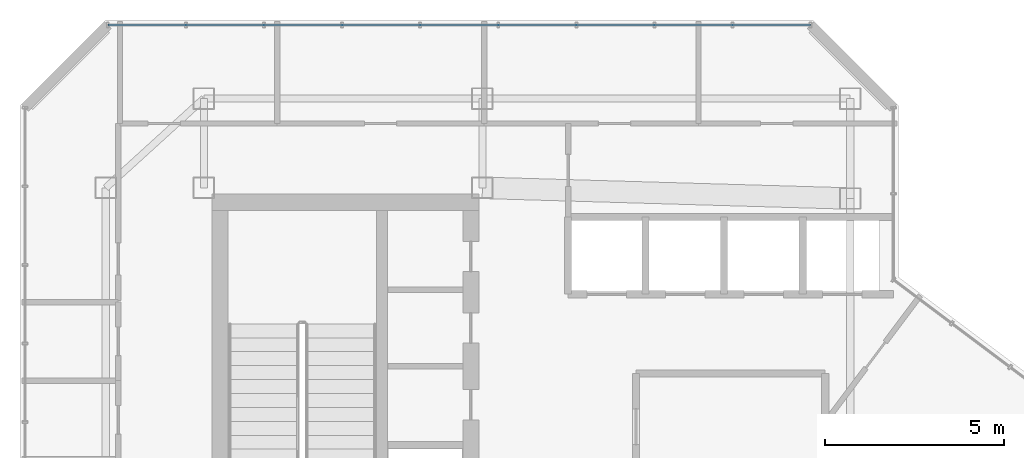
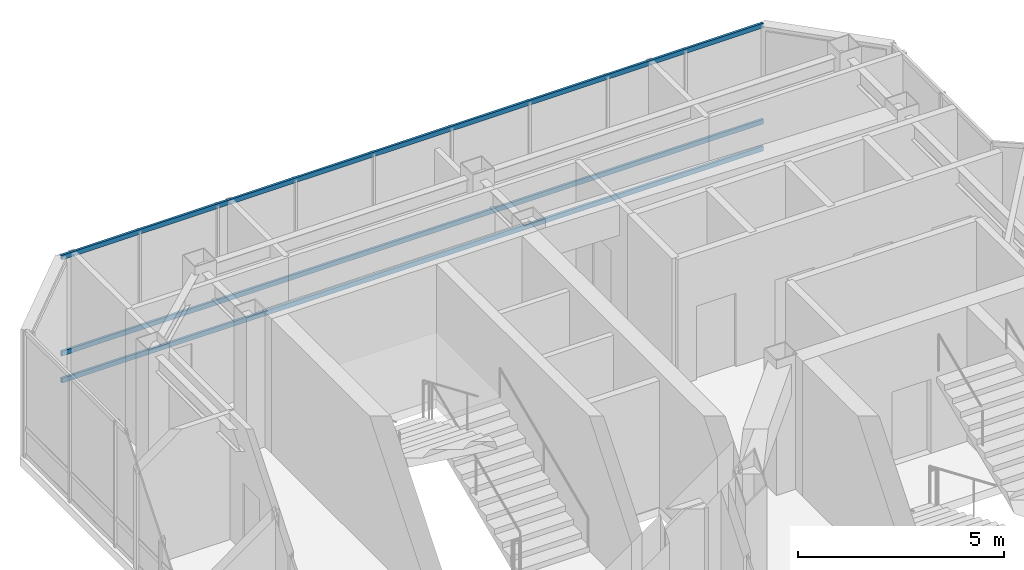
# One storey, part 22 of 30: 3 members, 1 element without a shape of its own.
"""IFC4 building model written with IfcOpenShell, lengths in metres."""

import ifcopenshell
import ifcopenshell.guid

model = None  # the IFC model being written
_history = None  # IfcOwnerHistory: only IFC2X3 demands one
_inside = {}  # id of a spatial element -> (the spatial element, [elements in it])
_under = {}  # id of a project, library or spatial element -> (it, [spatial elements below it])
_declared = {}  # id of a project -> (the project, [libraries it declares])
_typed = {}  # id of a type object -> (the type object, [elements of that type])
_made_of = {}  # id of a material, layer set ... -> (it, [elements and type objects made of it])


def new_model(schema):
    """Start an empty IFC model of exactly this schema.

    Asked for "IFC4X3", IfcOpenShell would pick the latest addendum, in which some entities
    have other attributes; the version numbers below select the first issue.
    IFC2X3 requires an IfcOwnerHistory on every rooted entity: one is made here for all.
    """
    global model, _history
    if schema == "IFC4X3":
        model = ifcopenshell.file(schema_version=(4, 3, 0, 0))
    else:
        model = ifcopenshell.file(schema=schema)
    _inside.clear()
    _under.clear()
    _declared.clear()
    _typed.clear()
    _made_of.clear()
    _history = None
    if model.schema == "IFC2X3":
        org = make("IfcOrganization", Name="unknown")
        user = make(
            "IfcPersonAndOrganization",
            ThePerson=make("IfcPerson", FamilyName="unknown"),
            TheOrganization=org,
        )
        app = make(
            "IfcApplication",
            ApplicationDeveloper=org,
            Version="unknown",
            ApplicationFullName="unknown",
            ApplicationIdentifier="unknown",
        )
        _history = make(
            "IfcOwnerHistory",
            OwningUser=user,
            OwningApplication=app,
            ChangeAction="ADDED",
            CreationDate=0,
        )
    return model


def make(cls, **values):
    """One entity of the class cls with the attributes given. An attribute that is None is left unset."""
    return model.create_entity(
        cls, **{name: value for name, value in values.items() if value is not None}
    )


def rooted(cls, **values):
    """An entity with a GlobalId (a new one), such as an element, a storey or a relation."""
    return make(cls, GlobalId=ifcopenshell.guid.new(), OwnerHistory=_history, **values)


def si_unit(unit_type, name, prefix=None):
    """IfcSIUnit, for example si_unit("LENGTHUNIT", "METRE", prefix="MILLI")."""
    return make("IfcSIUnit", UnitType=unit_type, Prefix=prefix, Name=name)


def assignment(units):
    """IfcUnitAssignment: the units of a project."""
    return None if units is None else make("IfcUnitAssignment", Units=units)


def point(xyz):
    """IfcCartesianPoint."""
    return None if xyz is None else make("IfcCartesianPoint", Coordinates=xyz)


def direction(xyz):
    """IfcDirection."""
    return None if xyz is None else make("IfcDirection", DirectionRatios=xyz)


def frame(location, z_axis=None, x_axis=None):
    """IfcAxis2Placement3D, a coordinate frame: its origin and axes. An axis left out is left unset."""
    return make(
        "IfcAxis2Placement3D",
        Location=point(location),
        Axis=direction(z_axis),
        RefDirection=direction(x_axis),
    )


def frame_2d(location, x_axis=None):
    """IfcAxis2Placement2D, a coordinate frame in the plane: its origin and x axis."""
    return make(
        "IfcAxis2Placement2D", Location=point(location), RefDirection=direction(x_axis)
    )


def origin():
    """The frame at (0, 0, 0) with its axes left unset."""
    return frame((0.0, 0.0, 0.0))


def origin_2d():
    """The frame at (0, 0) in the plane with its x axis left unset."""
    return frame_2d((0.0, 0.0))


def place(relative_to, where):
    """IfcLocalPlacement: puts the frame where relative to a parent placement (None: the world)."""
    return make(
        "IfcLocalPlacement", PlacementRelTo=relative_to, RelativePlacement=where
    )


def context(
    kind, dimensions, precision=None, world=None, true_north=None, identifier=None
):
    """IfcGeometricRepresentationContext, for example the 3D "Model" context."""
    return make(
        "IfcGeometricRepresentationContext",
        ContextIdentifier=identifier,
        ContextType=kind,
        CoordinateSpaceDimension=dimensions,
        Precision=precision,
        WorldCoordinateSystem=world,
        TrueNorth=true_north,
    )


def subcontext(parent, identifier, kind, view, scale=None):
    """IfcGeometricRepresentationSubContext, for example "Body" below "Model"."""
    return make(
        "IfcGeometricRepresentationSubContext",
        ContextIdentifier=identifier,
        ContextType=kind,
        ParentContext=parent,
        TargetScale=scale,
        TargetView=view,
    )


def project(units=None, contexts=None):
    """IfcProject with its units and contexts."""
    return rooted(
        "IfcProject",
        Name="project",
        RepresentationContexts=contexts,
        UnitsInContext=assignment(units),
    )


def spatial(cls, under=None, at=None, **own):
    """A site, building, storey or space (cls), placed at a placement, below another one or the project."""
    s = rooted(cls, ObjectPlacement=at, **own)
    if under is not None:
        _under.setdefault(under.id(), (under, []))[1].append(s)
    return s


def profile(cls, at=None, kind="AREA", **sizes):
    """A parametric profile (cls). Its sizes go by their IFC names, for example OverallWidth=200.0."""
    return make(cls, ProfileType=kind, Position=at, **sizes)


def hollow_rectangle(**sizes):
    """IfcRectangleHollowProfileDef."""
    return profile("IfcRectangleHollowProfileDef", **sizes)


def extrude(swept, where, along, depth):
    """IfcExtrudedAreaSolid: the profile swept, set in the frame where, extruded along a direction by depth."""
    return make(
        "IfcExtrudedAreaSolid",
        SweptArea=swept,
        Position=where,
        ExtrudedDirection=direction(along),
        Depth=depth,
    )


def shape(context_of_items, identifier, shape_type, items):
    """IfcShapeRepresentation: the items that make up one representation, for example the "Body"."""
    return make(
        "IfcShapeRepresentation",
        ContextOfItems=context_of_items,
        RepresentationIdentifier=identifier,
        RepresentationType=shape_type,
        Items=items,
    )


def material(Name=None, Category=None):
    """IfcMaterial."""
    return make("IfcMaterial", Name=Name, Category=Category)


def layer(
    of_material, thickness, ventilated=None, Name=None, Category=None, Priority=None
):
    """IfcMaterialLayer: one layer of a wall or slab, of a material (None: an air gap)."""
    return make(
        "IfcMaterialLayer",
        Material=of_material,
        LayerThickness=thickness,
        IsVentilated=ventilated,
        Name=Name,
        Category=Category,
        Priority=Priority,
    )


def layer_set(layers, Name=None):
    """IfcMaterialLayerSet."""
    return make("IfcMaterialLayerSet", MaterialLayers=layers, LayerSetName=Name)


def material_profile(
    of_material, cross_section, Name=None, Category=None, Priority=None
):
    """IfcMaterialProfile: a cross section and its material."""
    return make(
        "IfcMaterialProfile",
        Name=Name,
        Material=of_material,
        Profile=cross_section,
        Priority=Priority,
        Category=Category,
    )


def profile_set(profiles, Name=None, composite=None):
    """IfcMaterialProfileSet."""
    return make(
        "IfcMaterialProfileSet",
        Name=Name,
        MaterialProfiles=profiles,
        CompositeProfile=composite,
    )


def made_of(thing, what):
    """Note that an element or type object is made of a material, layer set ...; save() writes the relation."""
    if what is not None:
        _made_of.setdefault(what.id(), (what, []))[1].append(thing)
    return thing


def type_object(cls, material=None, **own):
    """A type object (cls), such as IfcWallType, which elements share."""
    return made_of(rooted(cls, **own), material)


def element(
    cls,
    number,
    at=None,
    inside=None,
    cuts=None,
    type_object=None,
    material=None,
    context=None,
    identifier="Body",
    shape_type=None,
    held_by="IfcProductDefinitionShape",
    body=None,
    shapes=None,
    **own,
):
    """One element of the class cls, such as IfcWall. Its Tag is "e" and its number.

    at: its placement. inside: the storey or other place that contains it. cuts: it is an
    opening in that element (IfcRelVoidsElement). A single representation is given by context,
    identifier, shape_type and body (its items); several are given by shapes. held_by: the class
    of the entity that holds the representations. save() writes the other relations.
    """
    e = rooted(cls, Tag="e%d" % number, ObjectPlacement=at, **own)
    if body is not None:
        shapes = [shape(context, identifier, shape_type, body)]
    if shapes is not None:
        e.Representation = make(held_by, Representations=shapes)
    if inside is not None:
        _inside.setdefault(inside.id(), (inside, []))[1].append(e)
    if cuts is not None:
        rooted(
            "IfcRelVoidsElement", RelatingBuildingElement=cuts, RelatedOpeningElement=e
        )
    if type_object is not None:
        _typed.setdefault(type_object.id(), (type_object, []))[1].append(e)
    return made_of(e, material)


def aggregate(whole, parts):
    """IfcRelAggregates: a whole, such as a stair, and the parts it consists of."""
    return rooted("IfcRelAggregates", RelatingObject=whole, RelatedObjects=parts)


def save(model, path):
    """Write the relations noted so far, then the file.

    IfcRelAggregates (storeys below a building ...), IfcRelContainedInSpatialStructure (elements
    in a storey), IfcRelDefinesByType, IfcRelAssociatesMaterial and IfcRelDeclares: one each for
    every whole, place, type object, material and project.
    """
    for whole, parts in _under.values():
        aggregate(whole, parts)
    for where, things in _inside.values():
        rooted(
            "IfcRelContainedInSpatialStructure",
            RelatedElements=things,
            RelatingStructure=where,
        )
    for kind, things in _typed.values():
        rooted("IfcRelDefinesByType", RelatedObjects=things, RelatingType=kind)
    for what, things in _made_of.values():
        rooted("IfcRelAssociatesMaterial", RelatedObjects=things, RelatingMaterial=what)
    for by, libraries in _declared.values():
        rooted("IfcRelDeclares", RelatingContext=by, RelatedDefinitions=libraries)
    model.write(path)


model = new_model("IFC4")

# Units and contexts
model_context = context("Model", 3, precision=1e-05, world=origin(), true_north=direction((0.0, 1.0)))
body_context = subcontext(model_context, "Body", "Model", "MODEL_VIEW")
ifc_project = project(units=[si_unit("LENGTHUNIT", "METRE"), si_unit("AREAUNIT", "SQUARE_METRE"), si_unit("VOLUMEUNIT", "CUBIC_METRE"), si_unit("PLANEANGLEUNIT", "RADIAN"), si_unit("MASSUNIT", "GRAM", prefix="KILO")], contexts=[model_context])

# Site, building, storey
site_placement = place(None, origin())
site = spatial("IfcSite", under=ifc_project, at=site_placement, CompositionType="ELEMENT")
building_placement = place(site_placement, origin())
building = spatial("IfcBuilding", under=site, at=building_placement, Name="Hatsunagi Terrace Concourse", CompositionType="ELEMENT")
storey_placement = place(building_placement, frame((0.0, 0.0, 273.949951171875)))
storey = spatial("IfcBuildingStorey", under=building, at=storey_placement, Name="L72", CompositionType="ELEMENT", Elevation=273.949951171875)

# Curtain wall, members
ifc_material_1 = material(Name="Anodised Aluminium Alloy 6063-T5", Category="aluminium")
ifc_layer = layer(ifc_material_1, 0.199951171875)
ifc_layer_set = layer_set([ifc_layer], Name="CrownWintergarden_CW06")
curtain_wall_type = type_object("IfcCurtainWallType", Name="CrownWintergarden_CW06", PredefinedType="NOTDEFINED", material=ifc_layer_set)
curtain_wall_placement = place(storey_placement, origin())
curtain_wall = element("IfcCurtainWall", 1, at=curtain_wall_placement, inside=storey, type_object=curtain_wall_type, Name="Unitised Curtain Wall CW-06 CW-L72-09", PredefinedType="NOTDEFINED")
ifc_material_2 = material(Name="Anodised Aluminium Alloy 6063-T5", Category="aluminium")
ifc_material_profile = material_profile(ifc_material_2, hollow_rectangle(XDim=0.06494140625, YDim=0.139892578125, WallThickness=0.00390625, at=origin_2d()), Name="ALU-TRN-140x65x4")
ifc_profile_set = profile_set([ifc_material_profile], Name="Anodised Aluminium Alloy 6063-T5")
member_type = type_object("IfcMemberType", Name="CurtainWallTransom_140x65", PredefinedType="USERDEFINED", material=ifc_profile_set)
member_1_placement = place(storey_placement, frame((22.85791015625, 47.860107421875, 0.050048828125), z_axis=(1.0, 0.0, 0.0), x_axis=(0.0, 1.0, 0.0)))
member_1 = element("IfcMember", 2, at=member_1_placement, type_object=member_type, Name="Curtain Wall Transom TRN-02", ObjectType="TRANSOM", PredefinedType="USERDEFINED", context=body_context, shape_type="SweptSolid", body=[
    extrude(hollow_rectangle(XDim=0.06494140625, YDim=0.139892578125, WallThickness=0.00390625, at=origin_2d()), origin(), (0.0, 0.0, 1.0), 19.68408203125),
])
member_2_placement = place(storey_placement, frame((22.85791015625, 47.860107421875, 0.85009765625), z_axis=(1.0, 0.0, 0.0), x_axis=(0.0, 1.0, 0.0)))
member_2 = element("IfcMember", 3, at=member_2_placement, type_object=member_type, Name="Curtain Wall Transom TRN-02", ObjectType="TRANSOM", PredefinedType="USERDEFINED", context=body_context, shape_type="SweptSolid", body=[
    extrude(hollow_rectangle(XDim=0.06494140625, YDim=0.139892578125, WallThickness=0.00390625, at=origin_2d()), origin(), (0.0, 0.0, 1.0), 19.68408203125),
])
member_3_placement = place(storey_placement, frame((22.85791015625, 47.860107421875, 3.699951171875), z_axis=(1.0, 0.0, 0.0), x_axis=(0.0, 1.0, 0.0)))
member_3 = element("IfcMember", 4, at=member_3_placement, type_object=member_type, Name="Curtain Wall Transom TRN-02", ObjectType="TRANSOM", PredefinedType="USERDEFINED", context=body_context, shape_type="SweptSolid", body=[
    extrude(hollow_rectangle(XDim=0.06494140625, YDim=0.139892578125, WallThickness=0.00390625, at=origin_2d()), origin(), (0.0, 0.0, 1.0), 19.68408203125),
])
aggregate(curtain_wall, [member_1, member_2, member_3])

save(model, "model.ifc")
